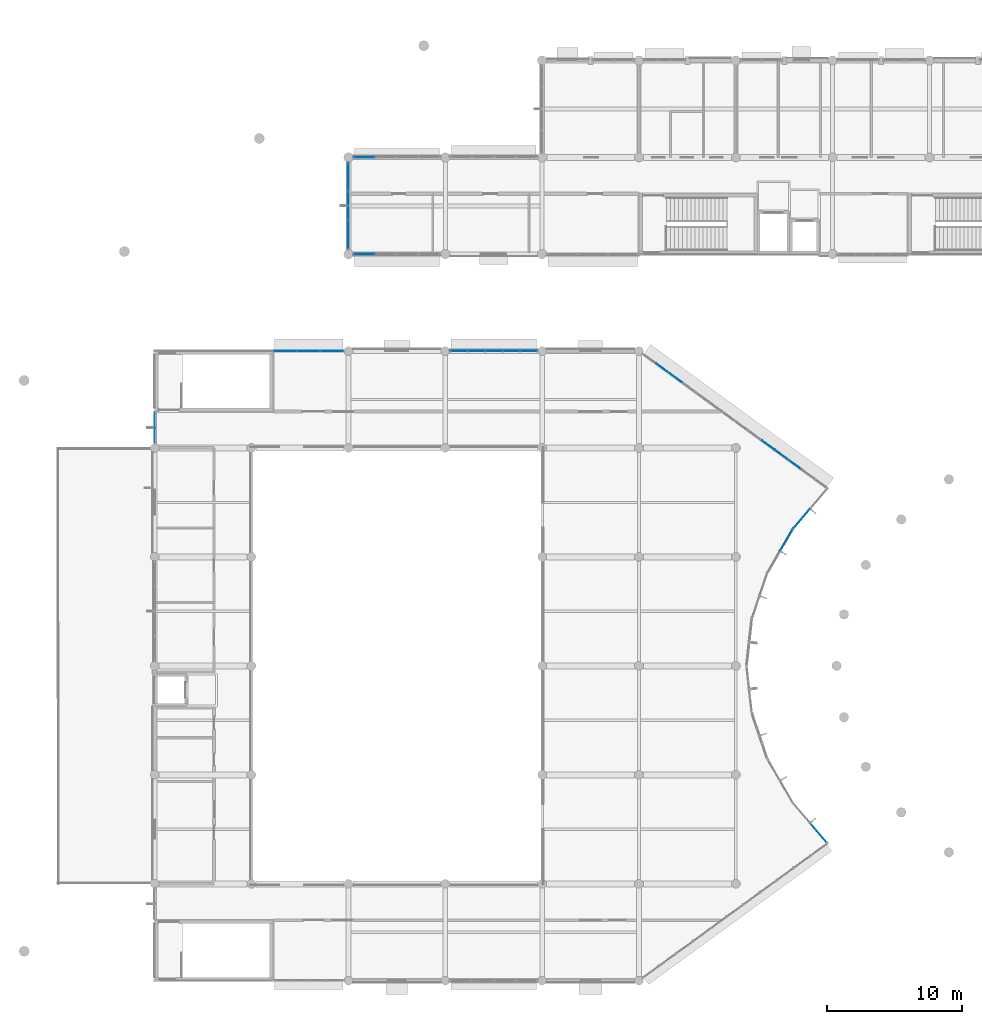
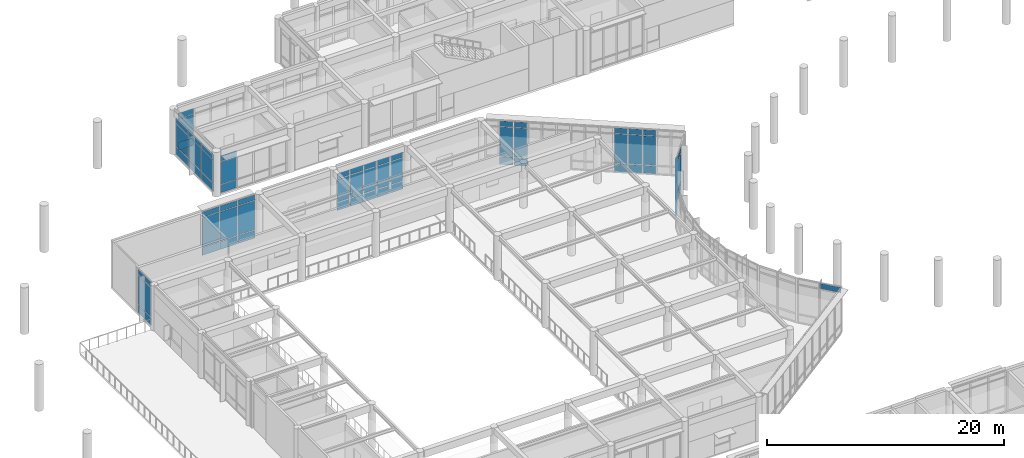
# One storey, part 39 of 92: 64 plates, 10 elements without a shape of their own.
"""IFC4 building model written with IfcOpenShell, lengths in metres."""

from ifc_helpers import new_model, si_unit, direction, frame, origin, origin_2d, place, context, subcontext, project, spatial, rectangle, extrude, material, layer, layer_set, type_object, element, aggregate, save


model = new_model("IFC4")

# Units and contexts
model_context = context("Model", 3, precision=1e-05, world=origin(), true_north=direction((0.0, 1.0)))
body_context = subcontext(model_context, "Body", "Model", "MODEL_VIEW")
ifc_project = project(units=[si_unit("LENGTHUNIT", "METRE"), si_unit("AREAUNIT", "SQUARE_METRE"), si_unit("VOLUMEUNIT", "CUBIC_METRE"), si_unit("PLANEANGLEUNIT", "RADIAN"), si_unit("MASSUNIT", "GRAM", prefix="KILO")], contexts=[model_context])

# Site, building, storey
site_placement = place(None, origin())
site = spatial("IfcSite", under=ifc_project, at=site_placement, CompositionType="ELEMENT")
building_placement = place(site_placement, origin())
building = spatial("IfcBuilding", under=site, at=building_placement, Name="Namkhue Oval Health Centre", CompositionType="ELEMENT")
storey_placement = place(building_placement, frame((0.0, 0.0, 4.800048828125)))
storey = spatial("IfcBuildingStorey", under=building, at=storey_placement, Name="L01", CompositionType="ELEMENT", Elevation=4.800048828125)

# Curtain wall, plates
ifc_material_1 = material(Name="Anodised aluminium EN AW-6063 T6", Category="aluminium")
ifc_layer_1 = layer(ifc_material_1, 0.159912109375)
ifc_layer_set_1 = layer_set([ifc_layer_1], Name="Anodised aluminium EN AW-6063 T6")
curtain_wall_type_1 = type_object("IfcCurtainWallType", Name="UNITISED CURTAIN WALL M1800", PredefinedType="NOTDEFINED", material=ifc_layer_set_1)
curtain_wall_1_placement = place(storey_placement, origin())
curtain_wall_1 = element("IfcCurtainWall", 1, at=curtain_wall_1_placement, inside=storey, type_object=curtain_wall_type_1, Name="Volume V1 L01 Unitised Curtain Wall 29", PredefinedType="NOTDEFINED")
ifc_material_2 = material(Name="Thermally broken low-E laminated double glazing", Category="glass")
ifc_layer_2 = layer(ifc_material_2, 0.02587890625)
ifc_layer_set_2 = layer_set([ifc_layer_2], Name="Thermally broken low-E laminated double glazing")
plate_type_1 = type_object("IfcPlateType", Name="CURTAIN WALL GLAZED PANEL 26", PredefinedType="CURTAIN_PANEL", material=ifc_layer_set_2)
plate_1_placement = place(storey_placement, frame((68.548095703125, 68.73095703125, 0.06494140625), z_axis=(0.0, 0.0, 1.0), x_axis=(0.501757798896, 0.865008156752, 0.0)))
plate_1 = element("IfcPlate", 2, at=plate_1_placement, type_object=plate_type_1, Name="CW-05 panel 2.1", PredefinedType="CURTAIN_PANEL", context=body_context, shape_type="SweptSolid", body=[
    extrude(rectangle(XDim=1.786865234375, YDim=0.02587890625, at=origin_2d()), origin(), (0.0, 0.0, 1.0), 0.802490234375),
])
plate_2_placement = place(storey_placement, frame((68.548095703125, 68.73095703125, 0.9326171875), z_axis=(0.0, 0.0, 1.0), x_axis=(0.501757798896, 0.865008156752, 0.0)))
plate_2 = element("IfcPlate", 3, at=plate_2_placement, type_object=plate_type_1, Name="CW-05 panel 2.2", PredefinedType="CURTAIN_PANEL", context=body_context, shape_type="SweptSolid", body=[
    extrude(rectangle(XDim=1.786865234375, YDim=0.02587890625, at=origin_2d()), origin(), (0.0, 0.0, 1.0), 2.985107421875),
])
plate_3_placement = place(storey_placement, frame((68.548095703125, 68.73095703125, 3.982421875), z_axis=(0.0, 0.0, 1.0), x_axis=(0.501757798896, 0.865008156752, 0.0)))
plate_3 = element("IfcPlate", 4, at=plate_3_placement, type_object=plate_type_1, Name="CW-05 panel 2.3", PredefinedType="CURTAIN_PANEL", context=body_context, shape_type="SweptSolid", body=[
    extrude(rectangle(XDim=1.786865234375, YDim=0.02587890625, at=origin_2d()), origin(), (0.0, 0.0, 1.0), 0.552490234375),
])
aggregate(curtain_wall_1, [plate_1, plate_2, plate_3])

ifc_layer_3 = layer(ifc_material_1, 0.159912109375)
ifc_layer_set_3 = layer_set([ifc_layer_3], Name="Anodised aluminium EN AW-6063 T6")
curtain_wall_type_2 = type_object("IfcCurtainWallType", Name="UNITISED CURTAIN WALL M1500", PredefinedType="NOTDEFINED", material=ifc_layer_set_3)
curtain_wall_2_placement = place(storey_placement, origin())
curtain_wall_2 = element("IfcCurtainWall", 5, at=curtain_wall_2_placement, inside=storey, type_object=curtain_wall_type_2, Name="Volume V1 L01 Unitised Curtain Wall 33", PredefinedType="NOTDEFINED")
plate_4_placement = place(storey_placement, frame((34.774169921875, 82.800048828125, 0.06494140625), z_axis=(0.0, 0.0, 1.0), x_axis=(-1.0, 0.0, 0.0)))
plate_4 = element("IfcPlate", 6, at=plate_4_placement, type_object=plate_type_1, Name="CW-03 panel 1.1", PredefinedType="CURTAIN_PANEL", context=body_context, shape_type="SweptSolid", body=[
    extrude(rectangle(XDim=1.65185546875, YDim=0.02587890625, at=origin_2d()), origin(), (0.0, 0.0, 1.0), 0.802490234375),
])
plate_5_placement = place(storey_placement, frame((34.774169921875, 82.800048828125, 0.9326171875), z_axis=(0.0, 0.0, 1.0), x_axis=(-1.0, 0.0, 0.0)))
plate_5 = element("IfcPlate", 7, at=plate_5_placement, type_object=plate_type_1, Name="CW-03 panel 1.2", PredefinedType="CURTAIN_PANEL", context=body_context, shape_type="SweptSolid", body=[
    extrude(rectangle(XDim=1.65185546875, YDim=0.02587890625, at=origin_2d()), origin(), (0.0, 0.0, 1.0), 2.985107421875),
])
plate_6_placement = place(storey_placement, frame((34.774169921875, 82.800048828125, 3.982421875), z_axis=(0.0, 0.0, 1.0), x_axis=(-1.0, 0.0, 0.0)))
plate_6 = element("IfcPlate", 8, at=plate_6_placement, type_object=plate_type_1, Name="CW-03 panel 1.3", PredefinedType="CURTAIN_PANEL", context=body_context, shape_type="SweptSolid", body=[
    extrude(rectangle(XDim=1.65185546875, YDim=0.02587890625, at=origin_2d()), origin(), (0.0, 0.0, 1.0), 0.552490234375),
])
plate_7_placement = place(storey_placement, frame((33.041015625, 82.800048828125, 0.06494140625), z_axis=(0.0, 0.0, 1.0), x_axis=(-1.0, 0.0, 0.0)))
plate_7 = element("IfcPlate", 9, at=plate_7_placement, type_object=plate_type_1, Name="CW-03 panel 2.1", PredefinedType="CURTAIN_PANEL", context=body_context, shape_type="SweptSolid", body=[
    extrude(rectangle(XDim=1.684326171875, YDim=0.02587890625, at=origin_2d()), origin(), (0.0, 0.0, 1.0), 0.802490234375),
])
plate_8_placement = place(storey_placement, frame((33.041015625, 82.800048828125, 0.9326171875), z_axis=(0.0, 0.0, 1.0), x_axis=(-1.0, 0.0, 0.0)))
plate_8 = element("IfcPlate", 10, at=plate_8_placement, type_object=plate_type_1, Name="CW-03 panel 2.2", PredefinedType="CURTAIN_PANEL", context=body_context, shape_type="SweptSolid", body=[
    extrude(rectangle(XDim=1.684326171875, YDim=0.02587890625, at=origin_2d()), origin(), (0.0, 0.0, 1.0), 2.985107421875),
])
plate_9_placement = place(storey_placement, frame((33.041015625, 82.800048828125, 3.982421875), z_axis=(0.0, 0.0, 1.0), x_axis=(-1.0, 0.0, 0.0)))
plate_9 = element("IfcPlate", 11, at=plate_9_placement, type_object=plate_type_1, Name="CW-03 panel 2.3", PredefinedType="CURTAIN_PANEL", context=body_context, shape_type="SweptSolid", body=[
    extrude(rectangle(XDim=1.684326171875, YDim=0.02587890625, at=origin_2d()), origin(), (0.0, 0.0, 1.0), 0.552490234375),
])
plate_10_placement = place(storey_placement, frame((31.307861328125, 82.800048828125, 0.06494140625), z_axis=(0.0, 0.0, 1.0), x_axis=(-1.0, 0.0, 0.0)))
plate_10 = element("IfcPlate", 12, at=plate_10_placement, type_object=plate_type_1, Name="CW-03 panel 3.1", PredefinedType="CURTAIN_PANEL", context=body_context, shape_type="SweptSolid", body=[
    extrude(rectangle(XDim=1.65185546875, YDim=0.02587890625, at=origin_2d()), origin(), (0.0, 0.0, 1.0), 0.802490234375),
])
plate_11_placement = place(storey_placement, frame((31.307861328125, 82.800048828125, 0.9326171875), z_axis=(0.0, 0.0, 1.0), x_axis=(-1.0, 0.0, 0.0)))
plate_11 = element("IfcPlate", 13, at=plate_11_placement, type_object=plate_type_1, Name="CW-03 panel 3.2", PredefinedType="CURTAIN_PANEL", context=body_context, shape_type="SweptSolid", body=[
    extrude(rectangle(XDim=1.65185546875, YDim=0.02587890625, at=origin_2d()), origin(), (0.0, 0.0, 1.0), 2.985107421875),
])
plate_12_placement = place(storey_placement, frame((31.307861328125, 82.800048828125, 3.982421875), z_axis=(0.0, 0.0, 1.0), x_axis=(-1.0, 0.0, 0.0)))
plate_12 = element("IfcPlate", 14, at=plate_12_placement, type_object=plate_type_1, Name="CW-03 panel 3.3", PredefinedType="CURTAIN_PANEL", context=body_context, shape_type="SweptSolid", body=[
    extrude(rectangle(XDim=1.65185546875, YDim=0.02587890625, at=origin_2d()), origin(), (0.0, 0.0, 1.0), 0.552490234375),
])
aggregate(curtain_wall_2, [plate_4, plate_5, plate_6, plate_7, plate_8, plate_9, plate_10, plate_11, plate_12])

ifc_layer_4 = layer(ifc_material_1, 0.159912109375)
ifc_layer_set_4 = layer_set([ifc_layer_4], Name="Anodised aluminium EN AW-6063 T6")
curtain_wall_type_3 = type_object("IfcCurtainWallType", Name="UNITISED CURTAIN WALL M2000", PredefinedType="NOTDEFINED", material=ifc_layer_set_4)
curtain_wall_3_placement = place(storey_placement, origin())
curtain_wall_3 = element("IfcCurtainWall", 15, at=curtain_wall_3_placement, inside=storey, type_object=curtain_wall_type_3, Name="Volume V1 L01 Unitised Curtain Wall 30", PredefinedType="NOTDEFINED")
ifc_layer_5 = layer(ifc_material_2, 0.028076171875)
ifc_layer_set_5 = layer_set([ifc_layer_5], Name="Thermally broken low-E laminated double glazing")
plate_type_2 = type_object("IfcPlateType", Name="CURTAIN WALL GLAZED PANEL 28", PredefinedType="CURTAIN_PANEL", material=ifc_layer_set_5)
plate_13_placement = place(storey_placement, frame((69.6884765625, 70.33349609375, 0.074951171875), z_axis=(0.0, 0.0, 1.0), x_axis=(0.648746071067, 0.761004950887, 0.0)))
plate_13 = element("IfcPlate", 16, at=plate_13_placement, type_object=plate_type_2, Name="CW-06 panel 1.1", PredefinedType="CURTAIN_PANEL", context=body_context, shape_type="SweptSolid", body=[
    extrude(rectangle(XDim=1.8828125, YDim=0.028076171875, at=origin_2d()), origin(), (0.0, 0.0, 1.0), 0.78759765625),
])
plate_14_placement = place(storey_placement, frame((69.6884765625, 70.33349609375, 0.9375), z_axis=(0.0, 0.0, 1.0), x_axis=(0.648746071067, 0.761004950887, 0.0)))
plate_14 = element("IfcPlate", 17, at=plate_14_placement, type_object=plate_type_2, Name="CW-06 panel 1.2", PredefinedType="CURTAIN_PANEL", context=body_context, shape_type="SweptSolid", body=[
    extrude(rectangle(XDim=1.8828125, YDim=0.028076171875, at=origin_2d()), origin(), (0.0, 0.0, 1.0), 2.97509765625),
])
plate_15_placement = place(storey_placement, frame((69.6884765625, 70.33349609375, 3.9873046875), z_axis=(0.0, 0.0, 1.0), x_axis=(0.648746071067, 0.761004950887, 0.0)))
plate_15 = element("IfcPlate", 18, at=plate_15_placement, type_object=plate_type_2, Name="CW-06 panel 1.3", PredefinedType="CURTAIN_PANEL", context=body_context, shape_type="SweptSolid", body=[
    extrude(rectangle(XDim=1.8828125, YDim=0.028076171875, at=origin_2d()), origin(), (0.0, 0.0, 1.0), 0.53759765625),
])
aggregate(curtain_wall_3, [plate_13, plate_14, plate_15])

ifc_layer_6 = layer(ifc_material_1, 0.159912109375)
ifc_layer_set_6 = layer_set([ifc_layer_6], Name="Anodised aluminium EN AW-6063 T6")
curtain_wall_type_4 = type_object("IfcCurtainWallType", Name="UNITISED CURTAIN WALL M1600", PredefinedType="NOTDEFINED", material=ifc_layer_set_6)
curtain_wall_4_placement = place(storey_placement, origin())
curtain_wall_4 = element("IfcCurtainWall", 19, at=curtain_wall_4_placement, inside=storey, type_object=curtain_wall_type_4, Name="Volume V1 L01 Unitised Curtain Wall 34", PredefinedType="NOTDEFINED")
plate_16_placement = place(storey_placement, frame((21.60009765625, 77.10888671875, 0.074951171875), z_axis=(0.0, 0.0, 1.0), x_axis=(0.0, -1.0, 0.0)))
plate_16 = element("IfcPlate", 20, at=plate_16_placement, type_object=plate_type_2, Name="CW-04 panel 1.1", PredefinedType="CURTAIN_PANEL", context=body_context, shape_type="SweptSolid", body=[
    extrude(rectangle(XDim=2.197998046875, YDim=0.028076171875, at=origin_2d()), origin(), (0.0, 0.0, 1.0), 0.78759765625),
])
plate_17_placement = place(storey_placement, frame((21.60009765625, 77.10888671875, 0.9375), z_axis=(0.0, 0.0, 1.0), x_axis=(0.0, -1.0, 0.0)))
plate_17 = element("IfcPlate", 21, at=plate_17_placement, type_object=plate_type_2, Name="CW-04 panel 1.2", PredefinedType="CURTAIN_PANEL", context=body_context, shape_type="SweptSolid", body=[
    extrude(rectangle(XDim=2.197998046875, YDim=0.028076171875, at=origin_2d()), origin(), (0.0, 0.0, 1.0), 2.97509765625),
])
plate_18_placement = place(storey_placement, frame((21.60009765625, 77.10888671875, 3.9873046875), z_axis=(0.0, 0.0, 1.0), x_axis=(0.0, -1.0, 0.0)))
plate_18 = element("IfcPlate", 22, at=plate_18_placement, type_object=plate_type_2, Name="CW-04 panel 1.3", PredefinedType="CURTAIN_PANEL", context=body_context, shape_type="SweptSolid", body=[
    extrude(rectangle(XDim=2.197998046875, YDim=0.028076171875, at=origin_2d()), origin(), (0.0, 0.0, 1.0), 0.53759765625),
])
aggregate(curtain_wall_4, [plate_16, plate_17, plate_18])

# Curtain wall, plate
curtain_wall_5_placement = place(storey_placement, origin())
curtain_wall_5 = element("IfcCurtainWall", 23, at=curtain_wall_5_placement, inside=storey, type_object=curtain_wall_type_1, Name="Volume V1 L01 Unitised Curtain Wall 23", PredefinedType="NOTDEFINED")
ifc_material_3 = material(Name="Insulated anodised aluminium spandrel panel", Category="aluminium")
ifc_layer_7 = layer(ifc_material_3, 0.031982421875)
ifc_layer_set_7 = layer_set([ifc_layer_7], Name="Insulated anodised aluminium spandrel panel")
plate_type_3 = type_object("IfcPlateType", Name="CURTAIN WALL SPANDREL PANEL 32", PredefinedType="CURTAIN_PANEL", material=ifc_layer_set_7)
plate_19_placement = place(storey_placement, frame((70.960205078125, 46.974609375, 3.982421875), z_axis=(0.0, 0.0, 1.0), x_axis=(-0.648746071067, 0.761004950887, 0.0)))
plate_19 = element("IfcPlate", 24, at=plate_19_placement, type_object=plate_type_3, Name="CW-05 panel 1.3", PredefinedType="CURTAIN_PANEL", context=body_context, shape_type="SweptSolid", body=[
    extrude(rectangle(XDim=1.89794921875, YDim=0.031982421875, at=origin_2d()), origin(), (0.0, 0.0, 1.0), 0.552490234375),
])
aggregate(curtain_wall_5, [plate_19])

# Curtain wall, plates
ifc_layer_8 = layer(ifc_material_1, 0.159912109375)
ifc_layer_set_8 = layer_set([ifc_layer_8], Name="Anodised aluminium EN AW-6063 T6")
curtain_wall_type_5 = type_object("IfcCurtainWallType", Name="UNITISED CURTAIN WALL M1200", PredefinedType="NOTDEFINED", material=ifc_layer_set_8)
curtain_wall_6_placement = place(storey_placement, origin())
curtain_wall_6 = element("IfcCurtainWall", 25, at=curtain_wall_6_placement, inside=storey, type_object=curtain_wall_type_5, Name="Volume V1 L01 Unitised Curtain Wall 31", PredefinedType="NOTDEFINED")
plate_20_placement = place(storey_placement, frame((69.1630859375, 74.3837890625, 0.06494140625), z_axis=(0.0, 0.0, 1.0), x_axis=(-0.808513999682, 0.588476942894, 0.0)))
plate_20 = element("IfcPlate", 26, at=plate_20_placement, type_object=plate_type_3, Name="CW-01 panel 3.1", PredefinedType="CURTAIN_PANEL", context=body_context, shape_type="SweptSolid", body=[
    extrude(rectangle(XDim=1.1494140625, YDim=0.031982421875, at=origin_2d()), origin(), (0.0, 0.0, 1.0), 0.802490234375),
])
plate_21_placement = place(storey_placement, frame((69.1630859375, 74.3837890625, 0.9326171875), z_axis=(0.0, 0.0, 1.0), x_axis=(-0.808513999682, 0.588476942894, 0.0)))
plate_21 = element("IfcPlate", 27, at=plate_21_placement, type_object=plate_type_3, Name="CW-01 panel 3.2", PredefinedType="CURTAIN_PANEL", context=body_context, shape_type="SweptSolid", body=[
    extrude(rectangle(XDim=1.1494140625, YDim=0.031982421875, at=origin_2d()), origin(), (0.0, 0.0, 1.0), 2.985107421875),
])
plate_22_placement = place(storey_placement, frame((69.1630859375, 74.3837890625, 3.982421875), z_axis=(0.0, 0.0, 1.0), x_axis=(-0.808513999682, 0.588476942894, 0.0)))
plate_22 = element("IfcPlate", 28, at=plate_22_placement, type_object=plate_type_3, Name="CW-01 panel 3.3", PredefinedType="CURTAIN_PANEL", context=body_context, shape_type="SweptSolid", body=[
    extrude(rectangle(XDim=1.1494140625, YDim=0.031982421875, at=origin_2d()), origin(), (0.0, 0.0, 1.0), 0.552490234375),
])
plate_23_placement = place(storey_placement, frame((68.18115234375, 75.098388671875, 0.06494140625), z_axis=(0.0, 0.0, 1.0), x_axis=(-0.808513999682, 0.588476942894, 0.0)))
plate_23 = element("IfcPlate", 29, at=plate_23_placement, type_object=plate_type_3, Name="CW-01 panel 4.1", PredefinedType="CURTAIN_PANEL", context=body_context, shape_type="SweptSolid", body=[
    extrude(rectangle(XDim=1.1494140625, YDim=0.031982421875, at=origin_2d()), origin(), (0.0, 0.0, 1.0), 0.802490234375),
])
plate_24_placement = place(storey_placement, frame((68.18115234375, 75.098388671875, 0.9326171875), z_axis=(0.0, 0.0, 1.0), x_axis=(-0.808513999682, 0.588476942894, 0.0)))
plate_24 = element("IfcPlate", 30, at=plate_24_placement, type_object=plate_type_3, Name="CW-01 panel 4.2", PredefinedType="CURTAIN_PANEL", context=body_context, shape_type="SweptSolid", body=[
    extrude(rectangle(XDim=1.1494140625, YDim=0.031982421875, at=origin_2d()), origin(), (0.0, 0.0, 1.0), 2.985107421875),
])
plate_25_placement = place(storey_placement, frame((68.18115234375, 75.098388671875, 3.982421875), z_axis=(0.0, 0.0, 1.0), x_axis=(-0.808513999682, 0.588476942894, 0.0)))
plate_25 = element("IfcPlate", 31, at=plate_25_placement, type_object=plate_type_3, Name="CW-01 panel 4.3", PredefinedType="CURTAIN_PANEL", context=body_context, shape_type="SweptSolid", body=[
    extrude(rectangle(XDim=1.1494140625, YDim=0.031982421875, at=origin_2d()), origin(), (0.0, 0.0, 1.0), 0.552490234375),
])
plate_26_placement = place(storey_placement, frame((67.19921875, 75.813232421875, 0.06494140625), z_axis=(0.0, 0.0, 1.0), x_axis=(-0.808513999682, 0.588476942894, 0.0)))
plate_26 = element("IfcPlate", 32, at=plate_26_placement, type_object=plate_type_3, Name="CW-01 panel 5.1", PredefinedType="CURTAIN_PANEL", context=body_context, shape_type="SweptSolid", body=[
    extrude(rectangle(XDim=1.1494140625, YDim=0.031982421875, at=origin_2d()), origin(), (0.0, 0.0, 1.0), 0.802490234375),
])
plate_27_placement = place(storey_placement, frame((67.19921875, 75.813232421875, 0.9326171875), z_axis=(0.0, 0.0, 1.0), x_axis=(-0.808513999682, 0.588476942894, 0.0)))
plate_27 = element("IfcPlate", 33, at=plate_27_placement, type_object=plate_type_3, Name="CW-01 panel 5.2", PredefinedType="CURTAIN_PANEL", context=body_context, shape_type="SweptSolid", body=[
    extrude(rectangle(XDim=1.1494140625, YDim=0.031982421875, at=origin_2d()), origin(), (0.0, 0.0, 1.0), 2.985107421875),
])
plate_28_placement = place(storey_placement, frame((67.19921875, 75.813232421875, 3.982421875), z_axis=(0.0, 0.0, 1.0), x_axis=(-0.808513999682, 0.588476942894, 0.0)))
plate_28 = element("IfcPlate", 34, at=plate_28_placement, type_object=plate_type_3, Name="CW-01 panel 5.3", PredefinedType="CURTAIN_PANEL", context=body_context, shape_type="SweptSolid", body=[
    extrude(rectangle(XDim=1.1494140625, YDim=0.031982421875, at=origin_2d()), origin(), (0.0, 0.0, 1.0), 0.552490234375),
])
plate_29_placement = place(storey_placement, frame((60.32568359375, 80.816162109375, 0.06494140625), z_axis=(0.0, 0.0, 1.0), x_axis=(-0.808513999682, 0.588476942894, 0.0)))
plate_29 = element("IfcPlate", 35, at=plate_29_placement, type_object=plate_type_3, Name="CW-01 panel 12.1", PredefinedType="CURTAIN_PANEL", context=body_context, shape_type="SweptSolid", body=[
    extrude(rectangle(XDim=1.1494140625, YDim=0.031982421875, at=origin_2d()), origin(), (0.0, 0.0, 1.0), 0.802490234375),
])
plate_30_placement = place(storey_placement, frame((60.32568359375, 80.816162109375, 0.9326171875), z_axis=(0.0, 0.0, 1.0), x_axis=(-0.808513999682, 0.588476942894, 0.0)))
plate_30 = element("IfcPlate", 36, at=plate_30_placement, type_object=plate_type_3, Name="CW-01 panel 12.2", PredefinedType="CURTAIN_PANEL", context=body_context, shape_type="SweptSolid", body=[
    extrude(rectangle(XDim=1.1494140625, YDim=0.031982421875, at=origin_2d()), origin(), (0.0, 0.0, 1.0), 2.985107421875),
])
plate_31_placement = place(storey_placement, frame((60.32568359375, 80.816162109375, 3.982421875), z_axis=(0.0, 0.0, 1.0), x_axis=(-0.808513999682, 0.588476942894, 0.0)))
plate_31 = element("IfcPlate", 37, at=plate_31_placement, type_object=plate_type_3, Name="CW-01 panel 12.3", PredefinedType="CURTAIN_PANEL", context=body_context, shape_type="SweptSolid", body=[
    extrude(rectangle(XDim=1.1494140625, YDim=0.031982421875, at=origin_2d()), origin(), (0.0, 0.0, 1.0), 0.552490234375),
])
plate_32_placement = place(storey_placement, frame((59.34375, 81.53076171875, 0.06494140625), z_axis=(0.0, 0.0, 1.0), x_axis=(-0.808513999682, 0.588476942894, 0.0)))
plate_32 = element("IfcPlate", 38, at=plate_32_placement, type_object=plate_type_3, Name="CW-01 panel 13.1", PredefinedType="CURTAIN_PANEL", context=body_context, shape_type="SweptSolid", body=[
    extrude(rectangle(XDim=1.1494140625, YDim=0.031982421875, at=origin_2d()), origin(), (0.0, 0.0, 1.0), 0.802490234375),
])
plate_33_placement = place(storey_placement, frame((59.34375, 81.53076171875, 0.9326171875), z_axis=(0.0, 0.0, 1.0), x_axis=(-0.808513999682, 0.588476942894, 0.0)))
plate_33 = element("IfcPlate", 39, at=plate_33_placement, type_object=plate_type_3, Name="CW-01 panel 13.2", PredefinedType="CURTAIN_PANEL", context=body_context, shape_type="SweptSolid", body=[
    extrude(rectangle(XDim=1.1494140625, YDim=0.031982421875, at=origin_2d()), origin(), (0.0, 0.0, 1.0), 2.985107421875),
])
plate_34_placement = place(storey_placement, frame((59.34375, 81.53076171875, 3.982421875), z_axis=(0.0, 0.0, 1.0), x_axis=(-0.808513999682, 0.588476942894, 0.0)))
plate_34 = element("IfcPlate", 40, at=plate_34_placement, type_object=plate_type_3, Name="CW-01 panel 13.3", PredefinedType="CURTAIN_PANEL", context=body_context, shape_type="SweptSolid", body=[
    extrude(rectangle(XDim=1.1494140625, YDim=0.031982421875, at=origin_2d()), origin(), (0.0, 0.0, 1.0), 0.552490234375),
])
aggregate(curtain_wall_6, [plate_20, plate_21, plate_22, plate_23, plate_24, plate_25, plate_26, plate_27, plate_28, plate_29, plate_30, plate_31, plate_32, plate_33, plate_34])

curtain_wall_7_placement = place(storey_placement, origin())
curtain_wall_7 = element("IfcCurtainWall", 41, at=curtain_wall_7_placement, inside=storey, type_object=curtain_wall_type_1, Name="Volume V2 L01 Unitised Curtain Wall 47", PredefinedType="NOTDEFINED")
plate_35_placement = place(storey_placement, frame((37.186279296875, 90.0, 0.06494140625), z_axis=(0.0, 0.0, 1.0), x_axis=(1.0, 0.0, 0.0)))
plate_35 = element("IfcPlate", 42, at=plate_35_placement, type_object=plate_type_3, Name="CW-05 panel 1.1", PredefinedType="CURTAIN_PANEL", context=body_context, shape_type="SweptSolid", body=[
    extrude(rectangle(XDim=1.5224609375, YDim=0.031982421875, at=origin_2d()), origin(), (0.0, 0.0, 1.0), 0.802490234375),
])
plate_36_placement = place(storey_placement, frame((37.186279296875, 90.0, 0.9326171875), z_axis=(0.0, 0.0, 1.0), x_axis=(1.0, 0.0, 0.0)))
plate_36 = element("IfcPlate", 43, at=plate_36_placement, type_object=plate_type_3, Name="CW-05 panel 1.2", PredefinedType="CURTAIN_PANEL", context=body_context, shape_type="SweptSolid", body=[
    extrude(rectangle(XDim=1.5224609375, YDim=0.031982421875, at=origin_2d()), origin(), (0.0, 0.0, 1.0), 2.320068359375),
])
plate_37_placement = place(storey_placement, frame((37.186279296875, 90.0, 3.3173828125), z_axis=(0.0, 0.0, 1.0), x_axis=(1.0, 0.0, 0.0)))
plate_37 = element("IfcPlate", 44, at=plate_37_placement, type_object=plate_type_3, Name="CW-05 panel 1.3", PredefinedType="CURTAIN_PANEL", context=body_context, shape_type="SweptSolid", body=[
    extrude(rectangle(XDim=1.5224609375, YDim=0.031982421875, at=origin_2d()), origin(), (0.0, 0.0, 1.0), 0.552490234375),
])
aggregate(curtain_wall_7, [plate_35, plate_36, plate_37])

curtain_wall_8_placement = place(storey_placement, origin())
curtain_wall_8 = element("IfcCurtainWall", 45, at=curtain_wall_8_placement, inside=storey, type_object=curtain_wall_type_1, Name="Volume V2 L01 Unitised Curtain Wall 59", PredefinedType="NOTDEFINED")
plate_38_placement = place(storey_placement, frame((37.186279296875, 97.199951171875, 0.06494140625), z_axis=(0.0, 0.0, 1.0), x_axis=(-1.0, 0.0, 0.0)))
plate_38 = element("IfcPlate", 46, at=plate_38_placement, type_object=plate_type_3, Name="CW-05 panel 4.1", PredefinedType="CURTAIN_PANEL", context=body_context, shape_type="SweptSolid", body=[
    extrude(rectangle(XDim=1.5224609375, YDim=0.031982421875, at=origin_2d()), origin(), (0.0, 0.0, 1.0), 0.802490234375),
])
plate_39_placement = place(storey_placement, frame((37.186279296875, 97.199951171875, 0.9326171875), z_axis=(0.0, 0.0, 1.0), x_axis=(-1.0, 0.0, 0.0)))
plate_39 = element("IfcPlate", 47, at=plate_39_placement, type_object=plate_type_3, Name="CW-05 panel 4.2", PredefinedType="CURTAIN_PANEL", context=body_context, shape_type="SweptSolid", body=[
    extrude(rectangle(XDim=1.5224609375, YDim=0.031982421875, at=origin_2d()), origin(), (0.0, 0.0, 1.0), 2.320068359375),
])
plate_40_placement = place(storey_placement, frame((37.186279296875, 97.199951171875, 3.3173828125), z_axis=(0.0, 0.0, 1.0), x_axis=(-1.0, 0.0, 0.0)))
plate_40 = element("IfcPlate", 48, at=plate_40_placement, type_object=plate_type_3, Name="CW-05 panel 4.3", PredefinedType="CURTAIN_PANEL", context=body_context, shape_type="SweptSolid", body=[
    extrude(rectangle(XDim=1.5224609375, YDim=0.031982421875, at=origin_2d()), origin(), (0.0, 0.0, 1.0), 0.552490234375),
])
aggregate(curtain_wall_8, [plate_38, plate_39, plate_40])

ifc_layer_9 = layer(ifc_material_1, 0.159912109375)
ifc_layer_set_9 = layer_set([ifc_layer_9], Name="Anodised aluminium EN AW-6063 T6")
curtain_wall_type_6 = type_object("IfcCurtainWallType", Name="UNITISED CURTAIN WALL M1350", PredefinedType="NOTDEFINED", material=ifc_layer_set_9)
curtain_wall_9_placement = place(storey_placement, origin())
curtain_wall_9 = element("IfcCurtainWall", 49, at=curtain_wall_9_placement, inside=storey, type_object=curtain_wall_type_6, Name="Volume V1 L01 Unitised Curtain Wall 32", PredefinedType="NOTDEFINED")
ifc_layer_10 = layer(ifc_material_3, 0.035888671875)
ifc_layer_set_10 = layer_set([ifc_layer_10], Name="Insulated anodised aluminium spandrel panel")
plate_type_4 = type_object("IfcPlateType", Name="CURTAIN WALL SPANDREL PANEL 36", PredefinedType="CURTAIN_PANEL", material=ifc_layer_set_10)
plate_41_placement = place(storey_placement, frame((49.393310546875, 82.800048828125, 0.074951171875), z_axis=(0.0, 0.0, 1.0), x_axis=(-1.0, 0.0, 0.0)))
plate_41 = element("IfcPlate", 50, at=plate_41_placement, type_object=plate_type_4, Name="CW-02 panel 1.1", PredefinedType="CURTAIN_PANEL", context=body_context, shape_type="SweptSolid", body=[
    extrude(rectangle(XDim=1.193603515625, YDim=0.035888671875, at=origin_2d()), origin(), (0.0, 0.0, 1.0), 0.78759765625),
])
plate_42_placement = place(storey_placement, frame((49.393310546875, 82.800048828125, 0.9375), z_axis=(0.0, 0.0, 1.0), x_axis=(-1.0, 0.0, 0.0)))
plate_42 = element("IfcPlate", 51, at=plate_42_placement, type_object=plate_type_4, Name="CW-02 panel 1.2", PredefinedType="CURTAIN_PANEL", context=body_context, shape_type="SweptSolid", body=[
    extrude(rectangle(XDim=1.193603515625, YDim=0.035888671875, at=origin_2d()), origin(), (0.0, 0.0, 1.0), 2.324951171875),
])
plate_43_placement = place(storey_placement, frame((49.393310546875, 82.800048828125, 3.33740234375), z_axis=(0.0, 0.0, 1.0), x_axis=(-1.0, 0.0, 0.0)))
plate_43 = element("IfcPlate", 52, at=plate_43_placement, type_object=plate_type_4, Name="CW-02 panel 1.3", PredefinedType="CURTAIN_PANEL", context=body_context, shape_type="SweptSolid", body=[
    extrude(rectangle(XDim=1.193603515625, YDim=0.035888671875, at=origin_2d()), origin(), (0.0, 0.0, 1.0), 0.53759765625),
])
plate_44_placement = place(storey_placement, frame((48.10595703125, 82.800048828125, 0.074951171875), z_axis=(0.0, 0.0, 1.0), x_axis=(-1.0, 0.0, 0.0)))
plate_44 = element("IfcPlate", 53, at=plate_44_placement, type_object=plate_type_4, Name="CW-02 panel 2.1", PredefinedType="CURTAIN_PANEL", context=body_context, shape_type="SweptSolid", body=[
    extrude(rectangle(XDim=1.23095703125, YDim=0.035888671875, at=origin_2d()), origin(), (0.0, 0.0, 1.0), 0.78759765625),
])
plate_45_placement = place(storey_placement, frame((48.10595703125, 82.800048828125, 0.9375), z_axis=(0.0, 0.0, 1.0), x_axis=(-1.0, 0.0, 0.0)))
plate_45 = element("IfcPlate", 54, at=plate_45_placement, type_object=plate_type_4, Name="CW-02 panel 2.2", PredefinedType="CURTAIN_PANEL", context=body_context, shape_type="SweptSolid", body=[
    extrude(rectangle(XDim=1.23095703125, YDim=0.035888671875, at=origin_2d()), origin(), (0.0, 0.0, 1.0), 2.324951171875),
])
plate_46_placement = place(storey_placement, frame((48.10595703125, 82.800048828125, 3.33740234375), z_axis=(0.0, 0.0, 1.0), x_axis=(-1.0, 0.0, 0.0)))
plate_46 = element("IfcPlate", 55, at=plate_46_placement, type_object=plate_type_4, Name="CW-02 panel 2.3", PredefinedType="CURTAIN_PANEL", context=body_context, shape_type="SweptSolid", body=[
    extrude(rectangle(XDim=1.23095703125, YDim=0.035888671875, at=origin_2d()), origin(), (0.0, 0.0, 1.0), 0.53759765625),
])
plate_47_placement = place(storey_placement, frame((46.800048828125, 82.800048828125, 0.074951171875), z_axis=(0.0, 0.0, 1.0), x_axis=(-1.0, 0.0, 0.0)))
plate_47 = element("IfcPlate", 56, at=plate_47_placement, type_object=plate_type_4, Name="CW-02 panel 3.1", PredefinedType="CURTAIN_PANEL", context=body_context, shape_type="SweptSolid", body=[
    extrude(rectangle(XDim=1.23095703125, YDim=0.035888671875, at=origin_2d()), origin(), (0.0, 0.0, 1.0), 0.78759765625),
])
plate_48_placement = place(storey_placement, frame((46.800048828125, 82.800048828125, 0.9375), z_axis=(0.0, 0.0, 1.0), x_axis=(-1.0, 0.0, 0.0)))
plate_48 = element("IfcPlate", 57, at=plate_48_placement, type_object=plate_type_4, Name="CW-02 panel 3.2", PredefinedType="CURTAIN_PANEL", context=body_context, shape_type="SweptSolid", body=[
    extrude(rectangle(XDim=1.23095703125, YDim=0.035888671875, at=origin_2d()), origin(), (0.0, 0.0, 1.0), 2.324951171875),
])
plate_49_placement = place(storey_placement, frame((46.800048828125, 82.800048828125, 3.33740234375), z_axis=(0.0, 0.0, 1.0), x_axis=(-1.0, 0.0, 0.0)))
plate_49 = element("IfcPlate", 58, at=plate_49_placement, type_object=plate_type_4, Name="CW-02 panel 3.3", PredefinedType="CURTAIN_PANEL", context=body_context, shape_type="SweptSolid", body=[
    extrude(rectangle(XDim=1.23095703125, YDim=0.035888671875, at=origin_2d()), origin(), (0.0, 0.0, 1.0), 0.53759765625),
])
plate_50_placement = place(storey_placement, frame((45.493896484375, 82.800048828125, 0.074951171875), z_axis=(0.0, 0.0, 1.0), x_axis=(-1.0, 0.0, 0.0)))
plate_50 = element("IfcPlate", 59, at=plate_50_placement, type_object=plate_type_4, Name="CW-02 panel 4.1", PredefinedType="CURTAIN_PANEL", context=body_context, shape_type="SweptSolid", body=[
    extrude(rectangle(XDim=1.23095703125, YDim=0.035888671875, at=origin_2d()), origin(), (0.0, 0.0, 1.0), 0.78759765625),
])
plate_51_placement = place(storey_placement, frame((45.493896484375, 82.800048828125, 0.9375), z_axis=(0.0, 0.0, 1.0), x_axis=(-1.0, 0.0, 0.0)))
plate_51 = element("IfcPlate", 60, at=plate_51_placement, type_object=plate_type_4, Name="CW-02 panel 4.2", PredefinedType="CURTAIN_PANEL", context=body_context, shape_type="SweptSolid", body=[
    extrude(rectangle(XDim=1.23095703125, YDim=0.035888671875, at=origin_2d()), origin(), (0.0, 0.0, 1.0), 2.324951171875),
])
plate_52_placement = place(storey_placement, frame((45.493896484375, 82.800048828125, 3.33740234375), z_axis=(0.0, 0.0, 1.0), x_axis=(-1.0, 0.0, 0.0)))
plate_52 = element("IfcPlate", 61, at=plate_52_placement, type_object=plate_type_4, Name="CW-02 panel 4.3", PredefinedType="CURTAIN_PANEL", context=body_context, shape_type="SweptSolid", body=[
    extrude(rectangle(XDim=1.23095703125, YDim=0.035888671875, at=origin_2d()), origin(), (0.0, 0.0, 1.0), 0.53759765625),
])
plate_53_placement = place(storey_placement, frame((44.206787109375, 82.800048828125, 0.074951171875), z_axis=(0.0, 0.0, 1.0), x_axis=(-1.0, 0.0, 0.0)))
plate_53 = element("IfcPlate", 62, at=plate_53_placement, type_object=plate_type_4, Name="CW-02 panel 5.1", PredefinedType="CURTAIN_PANEL", context=body_context, shape_type="SweptSolid", body=[
    extrude(rectangle(XDim=1.193603515625, YDim=0.035888671875, at=origin_2d()), origin(), (0.0, 0.0, 1.0), 0.78759765625),
])
plate_54_placement = place(storey_placement, frame((44.206787109375, 82.800048828125, 0.9375), z_axis=(0.0, 0.0, 1.0), x_axis=(-1.0, 0.0, 0.0)))
plate_54 = element("IfcPlate", 63, at=plate_54_placement, type_object=plate_type_4, Name="CW-02 panel 5.2", PredefinedType="CURTAIN_PANEL", context=body_context, shape_type="SweptSolid", body=[
    extrude(rectangle(XDim=1.193603515625, YDim=0.035888671875, at=origin_2d()), origin(), (0.0, 0.0, 1.0), 2.324951171875),
])
plate_55_placement = place(storey_placement, frame((44.206787109375, 82.800048828125, 3.33740234375), z_axis=(0.0, 0.0, 1.0), x_axis=(-1.0, 0.0, 0.0)))
plate_55 = element("IfcPlate", 64, at=plate_55_placement, type_object=plate_type_4, Name="CW-02 panel 5.3", PredefinedType="CURTAIN_PANEL", context=body_context, shape_type="SweptSolid", body=[
    extrude(rectangle(XDim=1.193603515625, YDim=0.035888671875, at=origin_2d()), origin(), (0.0, 0.0, 1.0), 0.53759765625),
])
aggregate(curtain_wall_9, [plate_41, plate_42, plate_43, plate_44, plate_45, plate_46, plate_47, plate_48, plate_49, plate_50, plate_51, plate_52, plate_53, plate_54, plate_55])

curtain_wall_10_placement = place(storey_placement, origin())
curtain_wall_10 = element("IfcCurtainWall", 65, at=curtain_wall_10_placement, inside=storey, type_object=curtain_wall_type_3, Name="Volume V2 L01 Unitised Curtain Wall 60", PredefinedType="NOTDEFINED")
plate_56_placement = place(storey_placement, frame((36.0, 95.7412109375, 0.074951171875), z_axis=(0.0, 0.0, 1.0), x_axis=(0.0, -1.0, 0.0)))
plate_56 = element("IfcPlate", 66, at=plate_56_placement, type_object=plate_type_4, Name="CW-06 panel 1.1", PredefinedType="CURTAIN_PANEL", context=body_context, shape_type="SweptSolid", body=[
    extrude(rectangle(XDim=2.047607421875, YDim=0.035888671875, at=origin_2d()), origin(), (0.0, 0.0, 1.0), 0.78759765625),
])
plate_57_placement = place(storey_placement, frame((36.0, 95.7412109375, 0.9375), z_axis=(0.0, 0.0, 1.0), x_axis=(0.0, -1.0, 0.0)))
plate_57 = element("IfcPlate", 67, at=plate_57_placement, type_object=plate_type_4, Name="CW-06 panel 1.2", PredefinedType="CURTAIN_PANEL", context=body_context, shape_type="SweptSolid", body=[
    extrude(rectangle(XDim=2.047607421875, YDim=0.035888671875, at=origin_2d()), origin(), (0.0, 0.0, 1.0), 2.31005859375),
])
plate_58_placement = place(storey_placement, frame((36.0, 95.7412109375, 3.322509765625), z_axis=(0.0, 0.0, 1.0), x_axis=(0.0, -1.0, 0.0)))
plate_58 = element("IfcPlate", 68, at=plate_58_placement, type_object=plate_type_4, Name="CW-06 panel 1.3", PredefinedType="CURTAIN_PANEL", context=body_context, shape_type="SweptSolid", body=[
    extrude(rectangle(XDim=2.047607421875, YDim=0.035888671875, at=origin_2d()), origin(), (0.0, 0.0, 1.0), 0.53759765625),
])
plate_59_placement = place(storey_placement, frame((36.0, 93.60009765625, 0.074951171875), z_axis=(0.0, 0.0, 1.0), x_axis=(0.0, -1.0, 0.0)))
plate_59 = element("IfcPlate", 69, at=plate_59_placement, type_object=plate_type_4, Name="CW-06 panel 2.1", PredefinedType="CURTAIN_PANEL", context=body_context, shape_type="SweptSolid", body=[
    extrude(rectangle(XDim=2.0849609375, YDim=0.035888671875, at=origin_2d()), origin(), (0.0, 0.0, 1.0), 0.78759765625),
])
plate_60_placement = place(storey_placement, frame((36.0, 93.60009765625, 0.9375), z_axis=(0.0, 0.0, 1.0), x_axis=(0.0, -1.0, 0.0)))
plate_60 = element("IfcPlate", 70, at=plate_60_placement, type_object=plate_type_4, Name="CW-06 panel 2.2", PredefinedType="CURTAIN_PANEL", context=body_context, shape_type="SweptSolid", body=[
    extrude(rectangle(XDim=2.0849609375, YDim=0.035888671875, at=origin_2d()), origin(), (0.0, 0.0, 1.0), 2.31005859375),
])
plate_61_placement = place(storey_placement, frame((36.0, 93.60009765625, 3.322509765625), z_axis=(0.0, 0.0, 1.0), x_axis=(0.0, -1.0, 0.0)))
plate_61 = element("IfcPlate", 71, at=plate_61_placement, type_object=plate_type_4, Name="CW-06 panel 2.3", PredefinedType="CURTAIN_PANEL", context=body_context, shape_type="SweptSolid", body=[
    extrude(rectangle(XDim=2.0849609375, YDim=0.035888671875, at=origin_2d()), origin(), (0.0, 0.0, 1.0), 0.53759765625),
])
plate_62_placement = place(storey_placement, frame((36.0, 91.458740234375, 0.074951171875), z_axis=(0.0, 0.0, 1.0), x_axis=(0.0, -1.0, 0.0)))
plate_62 = element("IfcPlate", 72, at=plate_62_placement, type_object=plate_type_4, Name="CW-06 panel 3.1", PredefinedType="CURTAIN_PANEL", context=body_context, shape_type="SweptSolid", body=[
    extrude(rectangle(XDim=2.047607421875, YDim=0.035888671875, at=origin_2d()), origin(), (0.0, 0.0, 1.0), 0.78759765625),
])
plate_63_placement = place(storey_placement, frame((36.0, 91.458740234375, 0.9375), z_axis=(0.0, 0.0, 1.0), x_axis=(0.0, -1.0, 0.0)))
plate_63 = element("IfcPlate", 73, at=plate_63_placement, type_object=plate_type_4, Name="CW-06 panel 3.2", PredefinedType="CURTAIN_PANEL", context=body_context, shape_type="SweptSolid", body=[
    extrude(rectangle(XDim=2.047607421875, YDim=0.035888671875, at=origin_2d()), origin(), (0.0, 0.0, 1.0), 2.31005859375),
])
plate_64_placement = place(storey_placement, frame((36.0, 91.458740234375, 3.322509765625), z_axis=(0.0, 0.0, 1.0), x_axis=(0.0, -1.0, 0.0)))
plate_64 = element("IfcPlate", 74, at=plate_64_placement, type_object=plate_type_4, Name="CW-06 panel 3.3", PredefinedType="CURTAIN_PANEL", context=body_context, shape_type="SweptSolid", body=[
    extrude(rectangle(XDim=2.047607421875, YDim=0.035888671875, at=origin_2d()), origin(), (0.0, 0.0, 1.0), 0.53759765625),
])
aggregate(curtain_wall_10, [plate_56, plate_57, plate_58, plate_59, plate_60, plate_61, plate_62, plate_63, plate_64])

save(model, "model.ifc")
